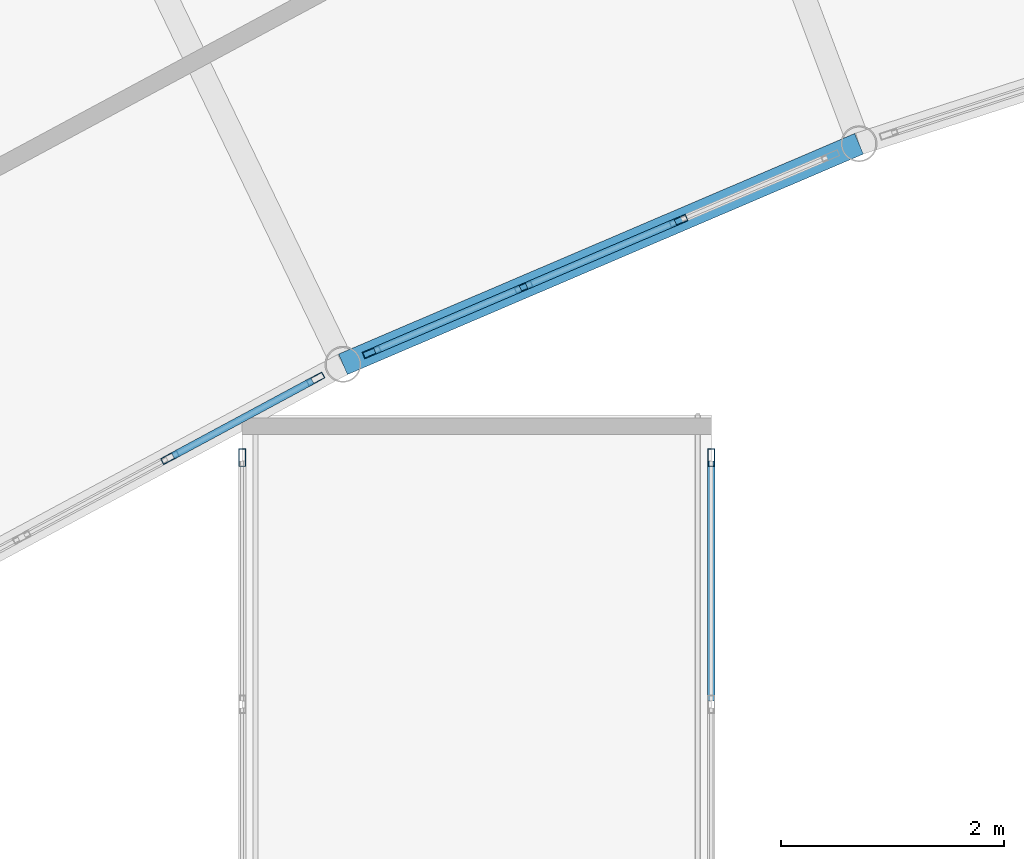
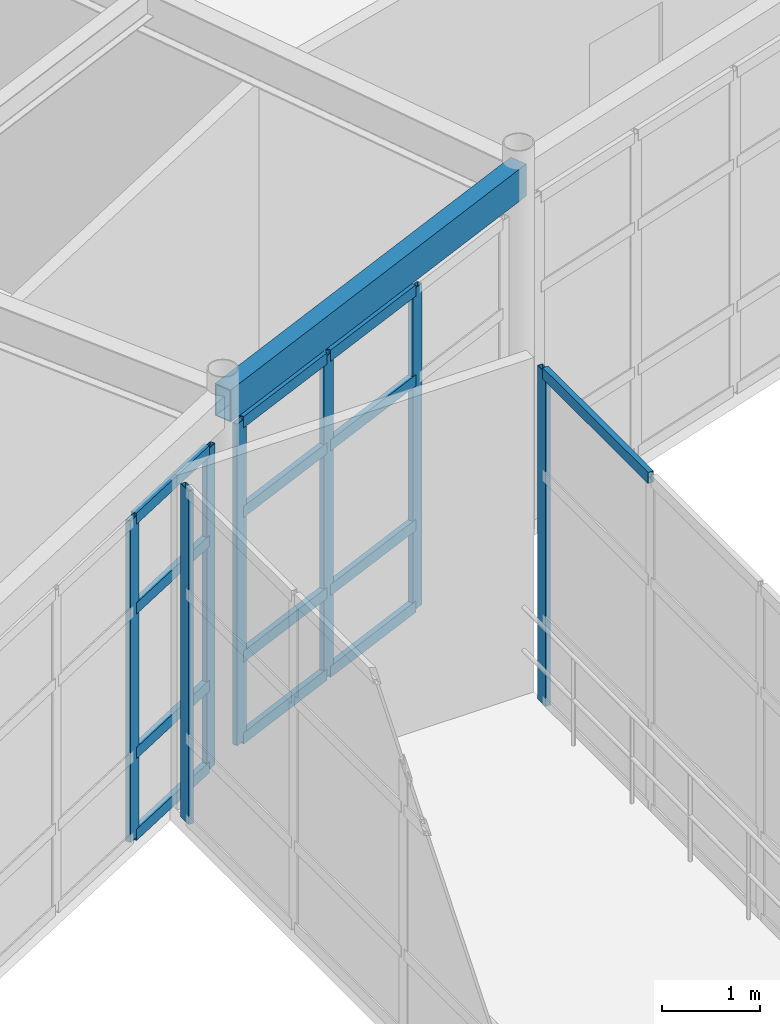
# One storey, part 68 of 116: 20 members, 1 beam, 4 elements without a shape of their own.
"""IFC4 building model written with IfcOpenShell, lengths in metres."""

import ifcopenshell
import ifcopenshell.guid

model = None  # the IFC model being written
_history = None  # IfcOwnerHistory: only IFC2X3 demands one
_inside = {}  # id of a spatial element -> (the spatial element, [elements in it])
_under = {}  # id of a project, library or spatial element -> (it, [spatial elements below it])
_declared = {}  # id of a project -> (the project, [libraries it declares])
_typed = {}  # id of a type object -> (the type object, [elements of that type])
_made_of = {}  # id of a material, layer set ... -> (it, [elements and type objects made of it])


def new_model(schema):
    """Start an empty IFC model of exactly this schema.

    Asked for "IFC4X3", IfcOpenShell would pick the latest addendum, in which some entities
    have other attributes; the version numbers below select the first issue.
    IFC2X3 requires an IfcOwnerHistory on every rooted entity: one is made here for all.
    """
    global model, _history
    if schema == "IFC4X3":
        model = ifcopenshell.file(schema_version=(4, 3, 0, 0))
    else:
        model = ifcopenshell.file(schema=schema)
    _inside.clear()
    _under.clear()
    _declared.clear()
    _typed.clear()
    _made_of.clear()
    _history = None
    if model.schema == "IFC2X3":
        org = make("IfcOrganization", Name="unknown")
        user = make(
            "IfcPersonAndOrganization",
            ThePerson=make("IfcPerson", FamilyName="unknown"),
            TheOrganization=org,
        )
        app = make(
            "IfcApplication",
            ApplicationDeveloper=org,
            Version="unknown",
            ApplicationFullName="unknown",
            ApplicationIdentifier="unknown",
        )
        _history = make(
            "IfcOwnerHistory",
            OwningUser=user,
            OwningApplication=app,
            ChangeAction="ADDED",
            CreationDate=0,
        )
    return model


def make(cls, **values):
    """One entity of the class cls with the attributes given. An attribute that is None is left unset."""
    return model.create_entity(
        cls, **{name: value for name, value in values.items() if value is not None}
    )


def rooted(cls, **values):
    """An entity with a GlobalId (a new one), such as an element, a storey or a relation."""
    return make(cls, GlobalId=ifcopenshell.guid.new(), OwnerHistory=_history, **values)


def si_unit(unit_type, name, prefix=None):
    """IfcSIUnit, for example si_unit("LENGTHUNIT", "METRE", prefix="MILLI")."""
    return make("IfcSIUnit", UnitType=unit_type, Prefix=prefix, Name=name)


def assignment(units):
    """IfcUnitAssignment: the units of a project."""
    return None if units is None else make("IfcUnitAssignment", Units=units)


def point(xyz):
    """IfcCartesianPoint."""
    return None if xyz is None else make("IfcCartesianPoint", Coordinates=xyz)


def direction(xyz):
    """IfcDirection."""
    return None if xyz is None else make("IfcDirection", DirectionRatios=xyz)


def frame(location, z_axis=None, x_axis=None):
    """IfcAxis2Placement3D, a coordinate frame: its origin and axes. An axis left out is left unset."""
    return make(
        "IfcAxis2Placement3D",
        Location=point(location),
        Axis=direction(z_axis),
        RefDirection=direction(x_axis),
    )


def frame_2d(location, x_axis=None):
    """IfcAxis2Placement2D, a coordinate frame in the plane: its origin and x axis."""
    return make(
        "IfcAxis2Placement2D", Location=point(location), RefDirection=direction(x_axis)
    )


def origin():
    """The frame at (0, 0, 0) with its axes left unset."""
    return frame((0.0, 0.0, 0.0))


def origin_2d():
    """The frame at (0, 0) in the plane with its x axis left unset."""
    return frame_2d((0.0, 0.0))


def place(relative_to, where):
    """IfcLocalPlacement: puts the frame where relative to a parent placement (None: the world)."""
    return make(
        "IfcLocalPlacement", PlacementRelTo=relative_to, RelativePlacement=where
    )


def context(
    kind, dimensions, precision=None, world=None, true_north=None, identifier=None
):
    """IfcGeometricRepresentationContext, for example the 3D "Model" context."""
    return make(
        "IfcGeometricRepresentationContext",
        ContextIdentifier=identifier,
        ContextType=kind,
        CoordinateSpaceDimension=dimensions,
        Precision=precision,
        WorldCoordinateSystem=world,
        TrueNorth=true_north,
    )


def subcontext(parent, identifier, kind, view, scale=None):
    """IfcGeometricRepresentationSubContext, for example "Body" below "Model"."""
    return make(
        "IfcGeometricRepresentationSubContext",
        ContextIdentifier=identifier,
        ContextType=kind,
        ParentContext=parent,
        TargetScale=scale,
        TargetView=view,
    )


def project(units=None, contexts=None):
    """IfcProject with its units and contexts."""
    return rooted(
        "IfcProject",
        Name="project",
        RepresentationContexts=contexts,
        UnitsInContext=assignment(units),
    )


def spatial(cls, under=None, at=None, **own):
    """A site, building, storey or space (cls), placed at a placement, below another one or the project."""
    s = rooted(cls, ObjectPlacement=at, **own)
    if under is not None:
        _under.setdefault(under.id(), (under, []))[1].append(s)
    return s


def profile(cls, at=None, kind="AREA", **sizes):
    """A parametric profile (cls). Its sizes go by their IFC names, for example OverallWidth=200.0."""
    return make(cls, ProfileType=kind, Position=at, **sizes)


def hollow_rectangle(**sizes):
    """IfcRectangleHollowProfileDef."""
    return profile("IfcRectangleHollowProfileDef", **sizes)


def extrude(swept, where, along, depth):
    """IfcExtrudedAreaSolid: the profile swept, set in the frame where, extruded along a direction by depth."""
    return make(
        "IfcExtrudedAreaSolid",
        SweptArea=swept,
        Position=where,
        ExtrudedDirection=direction(along),
        Depth=depth,
    )


def shape(context_of_items, identifier, shape_type, items):
    """IfcShapeRepresentation: the items that make up one representation, for example the "Body"."""
    return make(
        "IfcShapeRepresentation",
        ContextOfItems=context_of_items,
        RepresentationIdentifier=identifier,
        RepresentationType=shape_type,
        Items=items,
    )


def material(Name=None, Category=None):
    """IfcMaterial."""
    return make("IfcMaterial", Name=Name, Category=Category)


def layer(
    of_material, thickness, ventilated=None, Name=None, Category=None, Priority=None
):
    """IfcMaterialLayer: one layer of a wall or slab, of a material (None: an air gap)."""
    return make(
        "IfcMaterialLayer",
        Material=of_material,
        LayerThickness=thickness,
        IsVentilated=ventilated,
        Name=Name,
        Category=Category,
        Priority=Priority,
    )


def layer_set(layers, Name=None):
    """IfcMaterialLayerSet."""
    return make("IfcMaterialLayerSet", MaterialLayers=layers, LayerSetName=Name)


def material_profile(
    of_material, cross_section, Name=None, Category=None, Priority=None
):
    """IfcMaterialProfile: a cross section and its material."""
    return make(
        "IfcMaterialProfile",
        Name=Name,
        Material=of_material,
        Profile=cross_section,
        Priority=Priority,
        Category=Category,
    )


def profile_set(profiles, Name=None, composite=None):
    """IfcMaterialProfileSet."""
    return make(
        "IfcMaterialProfileSet",
        Name=Name,
        MaterialProfiles=profiles,
        CompositeProfile=composite,
    )


def made_of(thing, what):
    """Note that an element or type object is made of a material, layer set ...; save() writes the relation."""
    if what is not None:
        _made_of.setdefault(what.id(), (what, []))[1].append(thing)
    return thing


def type_object(cls, material=None, **own):
    """A type object (cls), such as IfcWallType, which elements share."""
    return made_of(rooted(cls, **own), material)


def element(
    cls,
    number,
    at=None,
    inside=None,
    cuts=None,
    type_object=None,
    material=None,
    context=None,
    identifier="Body",
    shape_type=None,
    held_by="IfcProductDefinitionShape",
    body=None,
    shapes=None,
    **own,
):
    """One element of the class cls, such as IfcWall. Its Tag is "e" and its number.

    at: its placement. inside: the storey or other place that contains it. cuts: it is an
    opening in that element (IfcRelVoidsElement). A single representation is given by context,
    identifier, shape_type and body (its items); several are given by shapes. held_by: the class
    of the entity that holds the representations. save() writes the other relations.
    """
    e = rooted(cls, Tag="e%d" % number, ObjectPlacement=at, **own)
    if body is not None:
        shapes = [shape(context, identifier, shape_type, body)]
    if shapes is not None:
        e.Representation = make(held_by, Representations=shapes)
    if inside is not None:
        _inside.setdefault(inside.id(), (inside, []))[1].append(e)
    if cuts is not None:
        rooted(
            "IfcRelVoidsElement", RelatingBuildingElement=cuts, RelatedOpeningElement=e
        )
    if type_object is not None:
        _typed.setdefault(type_object.id(), (type_object, []))[1].append(e)
    return made_of(e, material)


def aggregate(whole, parts):
    """IfcRelAggregates: a whole, such as a stair, and the parts it consists of."""
    return rooted("IfcRelAggregates", RelatingObject=whole, RelatedObjects=parts)


def save(model, path):
    """Write the relations noted so far, then the file.

    IfcRelAggregates (storeys below a building ...), IfcRelContainedInSpatialStructure (elements
    in a storey), IfcRelDefinesByType, IfcRelAssociatesMaterial and IfcRelDeclares: one each for
    every whole, place, type object, material and project.
    """
    for whole, parts in _under.values():
        aggregate(whole, parts)
    for where, things in _inside.values():
        rooted(
            "IfcRelContainedInSpatialStructure",
            RelatedElements=things,
            RelatingStructure=where,
        )
    for kind, things in _typed.values():
        rooted("IfcRelDefinesByType", RelatedObjects=things, RelatingType=kind)
    for what, things in _made_of.values():
        rooted("IfcRelAssociatesMaterial", RelatedObjects=things, RelatingMaterial=what)
    for by, libraries in _declared.values():
        rooted("IfcRelDeclares", RelatingContext=by, RelatedDefinitions=libraries)
    model.write(path)


model = new_model("IFC4")

# Units and contexts
model_context = context("Model", 3, precision=1e-05, world=origin(), true_north=direction((0.0, 1.0)))
body_context = subcontext(model_context, "Body", "Model", "MODEL_VIEW")
ifc_project = project(units=[si_unit("LENGTHUNIT", "METRE"), si_unit("AREAUNIT", "SQUARE_METRE"), si_unit("VOLUMEUNIT", "CUBIC_METRE"), si_unit("PLANEANGLEUNIT", "RADIAN"), si_unit("MASSUNIT", "GRAM", prefix="KILO")], contexts=[model_context])

# Site, building, storey
site_placement = place(None, origin())
site = spatial("IfcSite", under=ifc_project, at=site_placement, CompositionType="ELEMENT")
building_placement = place(site_placement, origin())
building = spatial("IfcBuilding", under=site, at=building_placement, Name="Selat Folded Stagehouse", CompositionType="ELEMENT")
storey_placement = place(building_placement, frame((0.0, 0.0, 5.39990234375)))
storey = spatial("IfcBuildingStorey", under=building, at=storey_placement, Name="L01", CompositionType="ELEMENT", Elevation=5.39990234375)

# Curtain wall, members
ifc_material_1 = material(Name="Aluminium 6063-T6", Category="aluminium")
ifc_layer_1 = layer(ifc_material_1, 0.18994140625)
ifc_layer_set_1 = layer_set([ifc_layer_1], Name="Aluminium 6063-T6")
curtain_wall_type_1 = type_object("IfcCurtainWallType", Name="CW-REH-ARC", PredefinedType="NOTDEFINED", material=ifc_layer_set_1)
curtain_wall_1_placement = place(storey_placement, origin())
curtain_wall_1 = element("IfcCurtainWall", 1, at=curtain_wall_1_placement, inside=storey, type_object=curtain_wall_type_1, Name="L01 curtain wall CW-REH-L01-01", PredefinedType="NOTDEFINED")
ifc_material_profile_1 = material_profile(ifc_material_1, hollow_rectangle(XDim=0.06005859375, YDim=0.159912109375, WallThickness=0.00390625, at=origin_2d()), Name="ALU 160x60x4.0")
ifc_profile_set_1 = profile_set([ifc_material_profile_1], Name="Aluminium 6063-T6")
member_type_1 = type_object("IfcMemberType", Name="CWM-MUL-160x60", PredefinedType="MULLION", material=ifc_profile_set_1)
member_1_placement = place(storey_placement, frame((67.85595703125, 88.321533203125, 0.0), z_axis=(0.0, 0.0, 1.0), x_axis=(0.473858636259, -0.880600927119, 0.0)))
member_1 = element("IfcMember", 2, at=member_1_placement, type_object=member_type_1, Name="CW-06 mullion 1", PredefinedType="MULLION", context=body_context, shape_type="SweptSolid", body=[
    extrude(hollow_rectangle(XDim=0.06005859375, YDim=0.159912109375, WallThickness=0.00390625, at=origin_2d()), origin(), (0.0, 0.0, 1.0), 4.0),
])
member_2_placement = place(storey_placement, frame((66.55419921875, 87.62109375, 0.0), z_axis=(0.0, 0.0, 1.0), x_axis=(0.473858636259, -0.880600927119, 0.0)))
member_2 = element("IfcMember", 3, at=member_2_placement, type_object=member_type_1, Name="CW-06 mullion 2", PredefinedType="MULLION", context=body_context, shape_type="SweptSolid", body=[
    extrude(hollow_rectangle(XDim=0.06005859375, YDim=0.159912109375, WallThickness=0.00390625, at=origin_2d()), origin(), (0.0, 0.0, 1.0), 4.0),
])

curtain_wall_2_placement = place(storey_placement, origin())
curtain_wall_2 = element("IfcCurtainWall", 4, at=curtain_wall_2_placement, inside=storey, type_object=curtain_wall_type_1, Name="L01 curtain wall CW-REH-L01-02", PredefinedType="NOTDEFINED")
member_3_placement = place(storey_placement, frame((71.106201171875, 89.738037109375, 0.0), z_axis=(0.0, 0.0, 1.0), x_axis=(0.393012226483, -0.919533245639, 0.0)))
member_3 = element("IfcMember", 5, at=member_3_placement, type_object=member_type_1, Name="CW-06 mullion 2", PredefinedType="MULLION", context=body_context, shape_type="SweptSolid", body=[
    extrude(hollow_rectangle(XDim=0.06005859375, YDim=0.159912109375, WallThickness=0.00390625, at=origin_2d()), origin(), (0.0, 0.0, 1.0), 4.0),
])
member_4_placement = place(storey_placement, frame((69.71923828125, 89.145263671875, 0.0), z_axis=(0.0, 0.0, 1.0), x_axis=(0.393012226483, -0.919533245639, 0.0)))
member_4 = element("IfcMember", 6, at=member_4_placement, type_object=member_type_1, Name="CW-06 mullion 3", PredefinedType="MULLION", context=body_context, shape_type="SweptSolid", body=[
    extrude(hollow_rectangle(XDim=0.06005859375, YDim=0.159912109375, WallThickness=0.00390625, at=origin_2d()), origin(), (0.0, 0.0, 1.0), 4.0),
])
member_5_placement = place(storey_placement, frame((68.360107421875, 88.564453125, 0.0), z_axis=(0.0, 0.0, 1.0), x_axis=(0.393012226483, -0.919533245639, 0.0)))
member_5 = element("IfcMember", 7, at=member_5_placement, type_object=member_type_1, Name="CW-06 mullion 4", PredefinedType="MULLION", context=body_context, shape_type="SweptSolid", body=[
    extrude(hollow_rectangle(XDim=0.06005859375, YDim=0.159912109375, WallThickness=0.00390625, at=origin_2d()), origin(), (0.0, 0.0, 1.0), 4.0),
])

# Curtain wall, member
ifc_layer_2 = layer(ifc_material_1, 0.175048828125)
ifc_layer_set_2 = layer_set([ifc_layer_2], Name="Aluminium 6063-T6")
curtain_wall_type_2 = type_object("IfcCurtainWallType", Name="CW-BRG-GLAZ", PredefinedType="NOTDEFINED", material=ifc_layer_set_2)
curtain_wall_3_placement = place(storey_placement, origin())
curtain_wall_3 = element("IfcCurtainWall", 8, at=curtain_wall_3_placement, inside=storey, type_object=curtain_wall_type_2, Name="L01 curtain wall CW-BRG-05", PredefinedType="NOTDEFINED")
member_6_placement = place(storey_placement, frame((67.199951171875, 87.6201171875, 0.0), z_axis=(0.0, 0.0, 1.0), x_axis=(-1.0, 0.0, 0.0)))
member_6 = element("IfcMember", 9, at=member_6_placement, type_object=member_type_1, Name="CW-07 mullion 6", PredefinedType="MULLION", context=body_context, shape_type="SweptSolid", body=[
    extrude(hollow_rectangle(XDim=0.06005859375, YDim=0.159912109375, WallThickness=0.00390625, at=origin_2d()), origin(), (0.0, 0.0, 1.0), 4.150146484375),
])
aggregate(curtain_wall_3, [member_6])

curtain_wall_4_placement = place(storey_placement, origin())
curtain_wall_4 = element("IfcCurtainWall", 10, at=curtain_wall_4_placement, inside=storey, type_object=curtain_wall_type_2, Name="L01 curtain wall CW-BRG-10", PredefinedType="NOTDEFINED")
member_7_placement = place(storey_placement, frame((71.39990234375, 87.6201171875, 0.0), z_axis=(0.0, 0.0, 1.0), x_axis=(1.0, 0.0, 0.0)))
member_7 = element("IfcMember", 11, at=member_7_placement, type_object=member_type_1, Name="CW-07 mullion 1", PredefinedType="MULLION", context=body_context, shape_type="SweptSolid", body=[
    extrude(hollow_rectangle(XDim=0.06005859375, YDim=0.159912109375, WallThickness=0.00390625, at=origin_2d()), origin(), (0.0, 0.0, 1.0), 4.150146484375),
])

# Member
ifc_material_profile_2 = material_profile(ifc_material_1, hollow_rectangle(XDim=0.06494140625, YDim=0.139892578125, WallThickness=0.00390625, at=origin_2d()), Name="ALU 140x65x4.0")
ifc_profile_set_2 = profile_set([ifc_material_profile_2], Name="Aluminium 6063-T6")
member_type_2 = type_object("IfcMemberType", Name="CWM-TRN-140x65", PredefinedType="USERDEFINED", material=ifc_profile_set_2)
member_8_placement = place(storey_placement, frame((67.82958984375, 88.307373046875, 0.03271484375), z_axis=(-0.880598189077, -0.473863724497, 0.0), x_axis=(0.473863724497, -0.880598189077, 0.0)))
member_8 = element("IfcMember", 12, at=member_8_placement, type_object=member_type_2, Name="CW-06 transom 1.1", ObjectType="TRANSOM", PredefinedType="USERDEFINED", context=body_context, shape_type="SweptSolid", body=[
    extrude(hollow_rectangle(XDim=0.06494140625, YDim=0.139892578125, WallThickness=0.00390625, at=origin_2d()), origin(), (0.0, 0.0, 1.0), 1.41845703125),
])

member_9_placement = place(storey_placement, frame((67.82958984375, 88.307373046875, 1.050048828125), z_axis=(-0.880598189077, -0.473863724497, 0.0), x_axis=(0.473863724497, -0.880598189077, 0.0)))
member_9 = element("IfcMember", 13, at=member_9_placement, type_object=member_type_2, Name="CW-06 transom 1.2", ObjectType="TRANSOM", PredefinedType="USERDEFINED", context=body_context, shape_type="SweptSolid", body=[
    extrude(hollow_rectangle(XDim=0.06494140625, YDim=0.139892578125, WallThickness=0.00390625, at=origin_2d()), origin(), (0.0, 0.0, 1.0), 1.41845703125),
])

member_10_placement = place(storey_placement, frame((67.82958984375, 88.307373046875, 2.85009765625), z_axis=(-0.880598189077, -0.473863724497, 0.0), x_axis=(0.473863724497, -0.880598189077, 0.0)))
member_10 = element("IfcMember", 14, at=member_10_placement, type_object=member_type_2, Name="CW-06 transom 1.3", ObjectType="TRANSOM", PredefinedType="USERDEFINED", context=body_context, shape_type="SweptSolid", body=[
    extrude(hollow_rectangle(XDim=0.06494140625, YDim=0.139892578125, WallThickness=0.00390625, at=origin_2d()), origin(), (0.0, 0.0, 1.0), 1.41845703125),
])

member_11_placement = place(storey_placement, frame((67.82958984375, 88.307373046875, 3.967529296875), z_axis=(-0.880598189077, -0.473863724497, 0.0), x_axis=(0.473863724497, -0.880598189077, 0.0)))
member_11 = element("IfcMember", 15, at=member_11_placement, type_object=member_type_2, Name="CW-06 transom 1.4", ObjectType="TRANSOM", PredefinedType="USERDEFINED", context=body_context, shape_type="SweptSolid", body=[
    extrude(hollow_rectangle(XDim=0.06494140625, YDim=0.139892578125, WallThickness=0.00390625, at=origin_2d()), origin(), (0.0, 0.0, 1.0), 1.41845703125),
])

aggregate(curtain_wall_1, [member_1, member_2, member_8, member_9, member_10, member_11])

member_12_placement = place(storey_placement, frame((71.07861328125, 89.726318359375, 0.03271484375), z_axis=(-0.919563036089, -0.392942518263, 0.0), x_axis=(0.392942518263, -0.919563036089, 0.0)))
member_12 = element("IfcMember", 16, at=member_12_placement, type_object=member_type_2, Name="CW-06 transom 2.1", ObjectType="TRANSOM", PredefinedType="USERDEFINED", context=body_context, shape_type="SweptSolid", body=[
    extrude(hollow_rectangle(XDim=0.06494140625, YDim=0.139892578125, WallThickness=0.00390625, at=origin_2d()), origin(), (0.0, 0.0, 1.0), 1.4482421875),
])

member_13_placement = place(storey_placement, frame((71.07861328125, 89.726318359375, 1.050048828125), z_axis=(-0.919563036089, -0.392942518263, 0.0), x_axis=(0.392942518263, -0.919563036089, 0.0)))
member_13 = element("IfcMember", 17, at=member_13_placement, type_object=member_type_2, Name="CW-06 transom 2.2", ObjectType="TRANSOM", PredefinedType="USERDEFINED", context=body_context, shape_type="SweptSolid", body=[
    extrude(hollow_rectangle(XDim=0.06494140625, YDim=0.139892578125, WallThickness=0.00390625, at=origin_2d()), origin(), (0.0, 0.0, 1.0), 1.4482421875),
])

member_14_placement = place(storey_placement, frame((71.07861328125, 89.726318359375, 2.85009765625), z_axis=(-0.919563036089, -0.392942518263, 0.0), x_axis=(0.392942518263, -0.919563036089, 0.0)))
member_14 = element("IfcMember", 18, at=member_14_placement, type_object=member_type_2, Name="CW-06 transom 2.3", ObjectType="TRANSOM", PredefinedType="USERDEFINED", context=body_context, shape_type="SweptSolid", body=[
    extrude(hollow_rectangle(XDim=0.06494140625, YDim=0.139892578125, WallThickness=0.00390625, at=origin_2d()), origin(), (0.0, 0.0, 1.0), 1.4482421875),
])

member_15_placement = place(storey_placement, frame((71.07861328125, 89.726318359375, 3.967529296875), z_axis=(-0.919563036089, -0.392942518263, 0.0), x_axis=(0.392942518263, -0.919563036089, 0.0)))
member_15 = element("IfcMember", 19, at=member_15_placement, type_object=member_type_2, Name="CW-06 transom 2.4", ObjectType="TRANSOM", PredefinedType="USERDEFINED", context=body_context, shape_type="SweptSolid", body=[
    extrude(hollow_rectangle(XDim=0.06494140625, YDim=0.139892578125, WallThickness=0.00390625, at=origin_2d()), origin(), (0.0, 0.0, 1.0), 1.4482421875),
])

member_16_placement = place(storey_placement, frame((69.691650390625, 89.133544921875, 0.03271484375), z_axis=(-0.919545213655, -0.392984223657, 0.0), x_axis=(0.392984223657, -0.919545213655, 0.0)))
member_16 = element("IfcMember", 20, at=member_16_placement, type_object=member_type_2, Name="CW-06 transom 3.1", ObjectType="TRANSOM", PredefinedType="USERDEFINED", context=body_context, shape_type="SweptSolid", body=[
    extrude(hollow_rectangle(XDim=0.06494140625, YDim=0.139892578125, WallThickness=0.00390625, at=origin_2d()), origin(), (0.0, 0.0, 1.0), 1.418212890625),
])

member_17_placement = place(storey_placement, frame((69.691650390625, 89.133544921875, 1.050048828125), z_axis=(-0.919545213655, -0.392984223657, 0.0), x_axis=(0.392984223657, -0.919545213655, 0.0)))
member_17 = element("IfcMember", 21, at=member_17_placement, type_object=member_type_2, Name="CW-06 transom 3.2", ObjectType="TRANSOM", PredefinedType="USERDEFINED", context=body_context, shape_type="SweptSolid", body=[
    extrude(hollow_rectangle(XDim=0.06494140625, YDim=0.139892578125, WallThickness=0.00390625, at=origin_2d()), origin(), (0.0, 0.0, 1.0), 1.418212890625),
])

member_18_placement = place(storey_placement, frame((69.691650390625, 89.133544921875, 2.85009765625), z_axis=(-0.919545213655, -0.392984223657, 0.0), x_axis=(0.392984223657, -0.919545213655, 0.0)))
member_18 = element("IfcMember", 22, at=member_18_placement, type_object=member_type_2, Name="CW-06 transom 3.3", ObjectType="TRANSOM", PredefinedType="USERDEFINED", context=body_context, shape_type="SweptSolid", body=[
    extrude(hollow_rectangle(XDim=0.06494140625, YDim=0.139892578125, WallThickness=0.00390625, at=origin_2d()), origin(), (0.0, 0.0, 1.0), 1.418212890625),
])

member_19_placement = place(storey_placement, frame((69.691650390625, 89.133544921875, 3.967529296875), z_axis=(-0.919545213655, -0.392984223657, 0.0), x_axis=(0.392984223657, -0.919545213655, 0.0)))
member_19 = element("IfcMember", 23, at=member_19_placement, type_object=member_type_2, Name="CW-06 transom 3.4", ObjectType="TRANSOM", PredefinedType="USERDEFINED", context=body_context, shape_type="SweptSolid", body=[
    extrude(hollow_rectangle(XDim=0.06494140625, YDim=0.139892578125, WallThickness=0.00390625, at=origin_2d()), origin(), (0.0, 0.0, 1.0), 1.418212890625),
])

aggregate(curtain_wall_2, [member_3, member_4, member_5, member_12, member_13, member_14, member_15, member_16, member_17, member_18, member_19])

member_20_placement = place(storey_placement, frame((71.39990234375, 87.590087890625, 4.11767578125), z_axis=(0.0, -1.0, 0.0), x_axis=(1.0, 0.0, 0.0)))
member_20 = element("IfcMember", 24, at=member_20_placement, type_object=member_type_2, Name="CW-07 transom 1.4", ObjectType="TRANSOM", PredefinedType="USERDEFINED", context=body_context, shape_type="SweptSolid", body=[
    extrude(hollow_rectangle(XDim=0.06494140625, YDim=0.139892578125, WallThickness=0.00390625, at=origin_2d()), origin(), (0.0, 0.0, 1.0), 2.150146484375),
])

aggregate(curtain_wall_4, [member_7, member_20])

# Beam
ifc_material_2 = material(Name="Steel S355", Category="steel")
ifc_material_profile_3 = material_profile(ifc_material_2, hollow_rectangle(XDim=0.199951171875, YDim=0.39990234375, WallThickness=0.012451171875, at=origin_2d()), Name="RHS 400x200x12.5")
ifc_profile_set_3 = profile_set([ifc_material_profile_3], Name="Steel S355")
beam_type = type_object("IfcBeamType", Name="SPD-EXT-400x200", PredefinedType="SPANDREL", material=ifc_profile_set_3)
beam_placement = place(storey_placement, frame((68.1025390625, 88.454345703125, 4.3701171875), z_axis=(0.919526599499, 0.393027776135, 0.0), x_axis=(-0.393027776135, 0.919526599499, 0.0)))
element("IfcBeam", 25, at=beam_placement, inside=storey, type_object=beam_type, Name="L01 inner curved rehearsal spandrel 3", PredefinedType="SPANDREL", context=body_context, shape_type="SweptSolid", body=[
    extrude(hollow_rectangle(XDim=0.199951171875, YDim=0.39990234375, WallThickness=0.012451171875, at=origin_2d()), origin(), (0.0, 0.0, 1.0), 5.024658203125),
])

save(model, "model.ifc")
